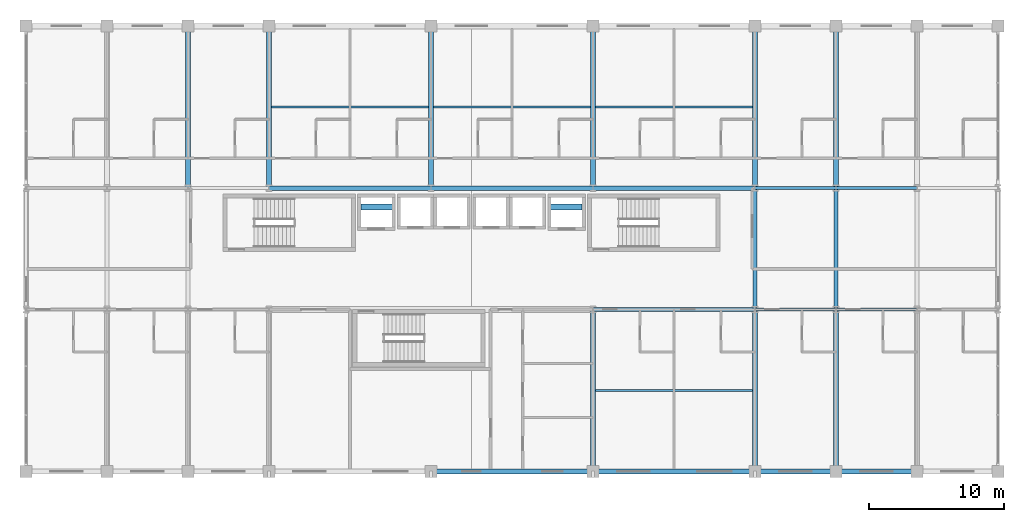
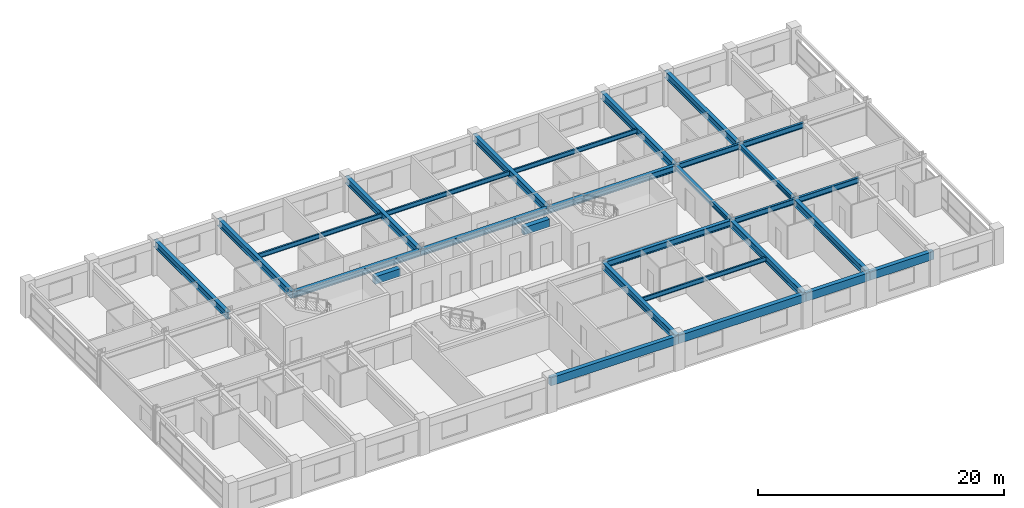
# One storey, part 9 of 22: 29 beams.
"""IFC4 building model written with IfcOpenShell, lengths in metres."""

from ifc_helpers import new_model, si_unit, direction, frame, origin, origin_2d, place, context, subcontext, project, spatial, rectangle, i_section, extrude, material, material_profile, profile_set, type_object, element, save


model = new_model("IFC4")

# Units and contexts
model_context = context("Model", 3, precision=1e-05, world=origin(), true_north=direction((0.0, 1.0)))
body_context = subcontext(model_context, "Body", "Model", "MODEL_VIEW")
ifc_project = project(units=[si_unit("LENGTHUNIT", "METRE"), si_unit("AREAUNIT", "SQUARE_METRE"), si_unit("VOLUMEUNIT", "CUBIC_METRE"), si_unit("PLANEANGLEUNIT", "RADIAN"), si_unit("MASSUNIT", "GRAM", prefix="KILO")], contexts=[model_context])

# Site, building, storey
site_placement = place(None, origin())
site = spatial("IfcSite", under=ifc_project, at=site_placement, CompositionType="ELEMENT")
building_placement = place(site_placement, origin())
building = spatial("IfcBuilding", under=site, at=building_placement, Name="Kaldorvane Square Convention Centre", CompositionType="ELEMENT")
storey_placement = place(building_placement, frame((0.0, 0.0, 34.80000305175781)))
storey = spatial("IfcBuildingStorey", under=building, at=storey_placement, Name="L07", CompositionType="ELEMENT", Elevation=34.80000305175781)

# Beams
ifc_material_1 = material(Name="Steel ASTM A992 Gr. 50", Category="steel")
ifc_material_profile_1 = material_profile(ifc_material_1, i_section(OverallWidth=0.213897705078125, OverallDepth=0.549102783203125, WebThickness=0.0146942138671875, FlangeThickness=0.0236053466796875, FilletRadius=0.0126953125, at=origin_2d()), Name="W21X93")
ifc_profile_set_1 = profile_set([ifc_material_profile_1], Name="Steel ASTM A992 Gr. 50")
beam_type_1 = type_object("IfcBeamType", Name="BM-GR-W21X93", PredefinedType="BEAM", material=ifc_profile_set_1)
for number, where, z_axis, x_axis, name in (
    (1, (78.0, 96.0, 3.0114898681640625), (1.0, 0.0, 0.0), (0.0, 1.0, 0.0), "Primary Girder (L07)"),
    (2, (84.0, 96.0, 3.0114898681640625), (1.0, 0.0, 0.0), (0.0, 1.0, 0.0), "Primary Girder (L07)"),
    (3, (78.0, 105.0, 3.0114898681640625), (1.0, 0.0, 0.0), (0.0, 1.0, 0.0), "Primary Girder (L07)"),
    (4, (84.0, 105.0, 3.0114898681640625), (1.0, 0.0, 0.0), (0.0, 1.0, 0.0), "Primary Girder (L07)"),
):
    element("IfcBeam", number, at=place(storey_placement, frame(where, z_axis=z_axis, x_axis=x_axis)), inside=storey, type_object=beam_type_1, Name=name, PredefinedType="BEAM", context=body_context, shape_type="SweptSolid", body=[
        extrude(i_section(OverallWidth=0.213897705078125, OverallDepth=0.549102783203125, WebThickness=0.0146942138671875, FlangeThickness=0.0236053466796875, FilletRadius=0.0126953125, at=origin_2d()), origin(), (0.0, 0.0, 1.0), 6.0),
    ])
ifc_material_profile_2 = material_profile(ifc_material_1, i_section(OverallWidth=0.326507568359375, OverallDepth=0.621795654296875, WebThickness=0.0153961181640625, FlangeThickness=0.0243988037109375, FilletRadius=0.0126953125, at=origin_2d()), Name="W24X131")
ifc_profile_set_2 = profile_set([ifc_material_profile_2], Name="Steel ASTM A992 Gr. 50")
beam_type_2 = type_object("IfcBeamType", Name="BM-GR-W24X131", PredefinedType="BEAM", material=ifc_profile_set_2)
for number, where, z_axis, x_axis, name in (
    (5, (66.0, 96.0, 2.97509765625), (1.0, 0.0, 0.0), (0.0, 1.0, 0.0), "Primary Girder (L07)"),
    (6, (42.0, 105.0, 2.97509765625), (1.0, 0.0, 0.0), (0.0, 1.0, 0.0), "Primary Girder (L07)"),
    (7, (54.0, 105.0, 2.97509765625), (1.0, 0.0, 0.0), (0.0, 1.0, 0.0), "Primary Girder (L07)"),
    (8, (66.0, 105.0, 2.97509765625), (1.0, 0.0, 0.0), (0.0, 1.0, 0.0), "Primary Girder (L07)"),
):
    element("IfcBeam", number, at=place(storey_placement, frame(where, z_axis=z_axis, x_axis=x_axis)), inside=storey, type_object=beam_type_2, Name=name, PredefinedType="BEAM", context=body_context, shape_type="SweptSolid", body=[
        extrude(i_section(OverallWidth=0.326507568359375, OverallDepth=0.621795654296875, WebThickness=0.0153961181640625, FlangeThickness=0.0243988037109375, FilletRadius=0.0126953125, at=origin_2d()), origin(), (0.0, 0.0, 1.0), 12.0),
    ])
ifc_material_profile_3 = material_profile(ifc_material_1, i_section(OverallWidth=0.354705810546875, OverallDepth=0.69549560546875, WebThickness=0.0153961181640625, FlangeThickness=0.0251007080078125, FilletRadius=0.01519775390625, at=origin_2d()), Name="W27X146")
ifc_profile_set_3 = profile_set([ifc_material_profile_3], Name="Steel ASTM A992 Gr. 50")
beam_type_3 = type_object("IfcBeamType", Name="BM-GR-W27X146", PredefinedType="BEAM", material=ifc_profile_set_3)
for number, where, z_axis, x_axis, name in (
    (9, (36.0, 105.0, 2.93829345703125), (0.0, 1.0, 0.0), (-1.0, 0.0, 0.0), "Transverse Girder (L07)"),
    (10, (42.0, 105.0, 2.93829345703125), (0.0, 1.0, 0.0), (-1.0, 0.0, 0.0), "Transverse Girder (L07)"),
    (11, (54.0, 105.0, 2.93829345703125), (0.0, 1.0, 0.0), (-1.0, 0.0, 0.0), "Transverse Girder (L07)"),
    (12, (66.0, 84.0, 2.93829345703125), (0.0, 1.0, 0.0), (-1.0, 0.0, 0.0), "Transverse Girder (L07)"),
    (13, (66.0, 105.0, 2.93829345703125), (0.0, 1.0, 0.0), (-1.0, 0.0, 0.0), "Transverse Girder (L07)"),
    (14, (78.0, 84.0, 2.93829345703125), (0.0, 1.0, 0.0), (-1.0, 0.0, 0.0), "Transverse Girder (L07)"),
    (15, (78.0, 105.0, 2.93829345703125), (0.0, 1.0, 0.0), (-1.0, 0.0, 0.0), "Transverse Girder (L07)"),
    (16, (84.0, 84.0, 2.93829345703125), (0.0, 1.0, 0.0), (-1.0, 0.0, 0.0), "Transverse Girder (L07)"),
    (17, (84.0, 105.0, 2.93829345703125), (0.0, 1.0, 0.0), (-1.0, 0.0, 0.0), "Transverse Girder (L07)"),
):
    element("IfcBeam", number, at=place(storey_placement, frame(where, z_axis=z_axis, x_axis=x_axis)), inside=storey, type_object=beam_type_3, Name=name, PredefinedType="BEAM", context=body_context, shape_type="SweptSolid", body=[
        extrude(i_section(OverallWidth=0.354705810546875, OverallDepth=0.69549560546875, WebThickness=0.0153961181640625, FlangeThickness=0.0251007080078125, FilletRadius=0.01519775390625, at=origin_2d()), origin(), (0.0, 0.0, 1.0), 12.0),
    ])
ifc_material_profile_4 = material_profile(ifc_material_1, i_section(OverallWidth=0.152801513671875, OverallDepth=0.4546966552734375, WebThickness=0.00799560546875, FlangeThickness=0.0133056640625, FilletRadius=0.01019287109375, at=origin_2d()), Name="W18X40")
ifc_profile_set_4 = profile_set([ifc_material_profile_4], Name="Steel ASTM A992 Gr. 50")
beam_type_4 = type_object("IfcBeamType", Name="BM-JS-W18X40", PredefinedType="JOIST", material=ifc_profile_set_4)
beam_1_placement = place(storey_placement, frame((66.17739868164062, 90.0, 3.05859375), z_axis=(1.0, 0.0, 0.0), x_axis=(0.0, 1.0, 0.0)))
element("IfcBeam", 18, at=beam_1_placement, inside=storey, type_object=beam_type_4, Name="Secondary Floor Joist (L07)", PredefinedType="JOIST", context=body_context, shape_type="SweptSolid", body=[
    extrude(i_section(OverallWidth=0.152801513671875, OverallDepth=0.4546966552734375, WebThickness=0.00799560546875, FlangeThickness=0.0133056640625, FilletRadius=0.01019287109375, at=origin_2d()), origin(), (0.0, 0.0, 1.0), 11.64520263671875),
])
beam_2_placement = place(storey_placement, frame((42.17730712890625, 111.0, 3.05859375), z_axis=(1.0, 0.0, 0.0), x_axis=(0.0, 1.0, 0.0)))
element("IfcBeam", 19, at=beam_2_placement, inside=storey, type_object=beam_type_4, Name="Secondary Floor Joist (L07)", PredefinedType="JOIST", context=body_context, shape_type="SweptSolid", body=[
    extrude(i_section(OverallWidth=0.152801513671875, OverallDepth=0.4546966552734375, WebThickness=0.00799560546875, FlangeThickness=0.0133056640625, FilletRadius=0.01019287109375, at=origin_2d()), origin(), (0.0, 0.0, 1.0), 11.6453857421875),
])
beam_3_placement = place(storey_placement, frame((54.17730712890625, 111.0, 3.05859375), z_axis=(1.0, 0.0, 0.0), x_axis=(0.0, 1.0, 0.0)))
element("IfcBeam", 20, at=beam_3_placement, inside=storey, type_object=beam_type_4, Name="Secondary Floor Joist (L07)", PredefinedType="JOIST", context=body_context, shape_type="SweptSolid", body=[
    extrude(i_section(OverallWidth=0.152801513671875, OverallDepth=0.4546966552734375, WebThickness=0.00799560546875, FlangeThickness=0.0133056640625, FilletRadius=0.01019287109375, at=origin_2d()), origin(), (0.0, 0.0, 1.0), 11.645294189453125),
])
beam_4_placement = place(storey_placement, frame((66.17739868164062, 111.0, 3.05859375), z_axis=(1.0, 0.0, 0.0), x_axis=(0.0, 1.0, 0.0)))
element("IfcBeam", 21, at=beam_4_placement, inside=storey, type_object=beam_type_4, Name="Secondary Floor Joist (L07)", PredefinedType="JOIST", context=body_context, shape_type="SweptSolid", body=[
    extrude(i_section(OverallWidth=0.152801513671875, OverallDepth=0.4546966552734375, WebThickness=0.00799560546875, FlangeThickness=0.0133056640625, FilletRadius=0.01019287109375, at=origin_2d()), origin(), (0.0, 0.0, 1.0), 11.64520263671875),
])
ifc_material_profile_5 = material_profile(ifc_material_1, i_section(OverallWidth=0.2799072265625, OverallDepth=0.462799072265625, WebThickness=0.01080322265625, FlangeThickness=0.017303466796875, FilletRadius=0.01019287109375, at=origin_2d()), Name="W18X76")
ifc_profile_set_5 = profile_set([ifc_material_profile_5], Name="Steel ASTM A992 Gr. 50")
beam_type_5 = type_object("IfcBeamType", Name="BM-JS-W18X76", PredefinedType="JOIST", material=ifc_profile_set_5)
for number, where, z_axis, x_axis, name in (
    (22, (78.0, 96.0, 3.054595947265625), (0.0, 1.0, 0.0), (-1.0, 0.0, 0.0), "Transverse Girder (L07)"),
    (23, (84.0, 96.0, 3.054595947265625), (0.0, 1.0, 0.0), (-1.0, 0.0, 0.0), "Transverse Girder (L07)"),
):
    element("IfcBeam", number, at=place(storey_placement, frame(where, z_axis=z_axis, x_axis=x_axis)), inside=storey, type_object=beam_type_5, Name=name, PredefinedType="JOIST", context=body_context, shape_type="SweptSolid", body=[
        extrude(i_section(OverallWidth=0.2799072265625, OverallDepth=0.462799072265625, WebThickness=0.01080322265625, FlangeThickness=0.017303466796875, FilletRadius=0.01019287109375, at=origin_2d()), origin(), (0.0, 0.0, 1.0), 9.0),
    ])
ifc_material_2 = material(Name="Concrete f'c = 42 MPa (Normalweight)", Category="concrete")
ifc_material_profile_6 = material_profile(ifc_material_2, rectangle(XDim=0.4499969482421875, YDim=0.75, at=origin_2d()), Name="RCLN750X450")
ifc_profile_set_6 = profile_set([ifc_material_profile_6], Name="Concrete f'c = 42 MPa (Normalweight)")
beam_type_6 = type_object("IfcBeamType", Name="BM-LN-RC750", PredefinedType="LINTEL", material=ifc_profile_set_6)
for number, where, z_axis, x_axis, name in (
    (24, (48.80000305175781, 103.60000610351562, 2.912994384765625), (1.0, 0.0, 0.0), (0.0, 1.0, 0.0), "Core Coupling Lintel W (L07)"),
    (25, (62.80000305175781, 103.60000610351562, 2.912994384765625), (1.0, 0.0, 0.0), (0.0, 1.0, 0.0), "Core Coupling Lintel E (L07)"),
):
    element("IfcBeam", number, at=place(storey_placement, frame(where, z_axis=z_axis, x_axis=x_axis)), inside=storey, type_object=beam_type_6, Name=name, PredefinedType="LINTEL", context=body_context, shape_type="SweptSolid", body=[
        extrude(rectangle(XDim=0.4499969482421875, YDim=0.75, at=origin_2d()), origin(), (0.0, 0.0, 1.0), 2.399993896484375),
    ])
ifc_material_profile_7 = material_profile(ifc_material_2, rectangle(XDim=0.399993896484375, YDim=0.8000030517578125, at=origin_2d()), Name="RCSP800X400")
ifc_profile_set_7 = profile_set([ifc_material_profile_7], Name="Concrete f'c = 42 MPa (Normalweight)")
beam_type_7 = type_object("IfcBeamType", Name="BM-SP-RC800", PredefinedType="SPANDREL", material=ifc_profile_set_7)
for number, where, z_axis, x_axis, name in (
    (26, (54.0, 84.0, 2.8860015869140625), (1.0, 0.0, 0.0), (0.0, 1.0, 0.0), "Perimeter Spandrel (L07)"),
    (27, (66.0, 84.0, 2.8860015869140625), (1.0, 0.0, 0.0), (0.0, 1.0, 0.0), "Perimeter Spandrel (L07)"),
):
    element("IfcBeam", number, at=place(storey_placement, frame(where, z_axis=z_axis, x_axis=x_axis)), inside=storey, type_object=beam_type_7, Name=name, PredefinedType="SPANDREL", context=body_context, shape_type="SweptSolid", body=[
        extrude(rectangle(XDim=0.399993896484375, YDim=0.8000030517578125, at=origin_2d()), origin(), (0.0, 0.0, 1.0), 12.0),
    ])
for number, where, z_axis, x_axis, name in (
    (28, (78.0, 84.0, 2.8860015869140625), (1.0, 0.0, 0.0), (0.0, 1.0, 0.0), "Perimeter Spandrel (L07)"),
    (29, (84.0, 84.0, 2.8860015869140625), (1.0, 0.0, 0.0), (0.0, 1.0, 0.0), "Perimeter Spandrel (L07)"),
):
    element("IfcBeam", number, at=place(storey_placement, frame(where, z_axis=z_axis, x_axis=x_axis)), inside=storey, type_object=beam_type_7, Name=name, PredefinedType="SPANDREL", context=body_context, shape_type="SweptSolid", body=[
        extrude(rectangle(XDim=0.399993896484375, YDim=0.8000030517578125, at=origin_2d()), origin(), (0.0, 0.0, 1.0), 6.0),
    ])

save(model, "model.ifc")
